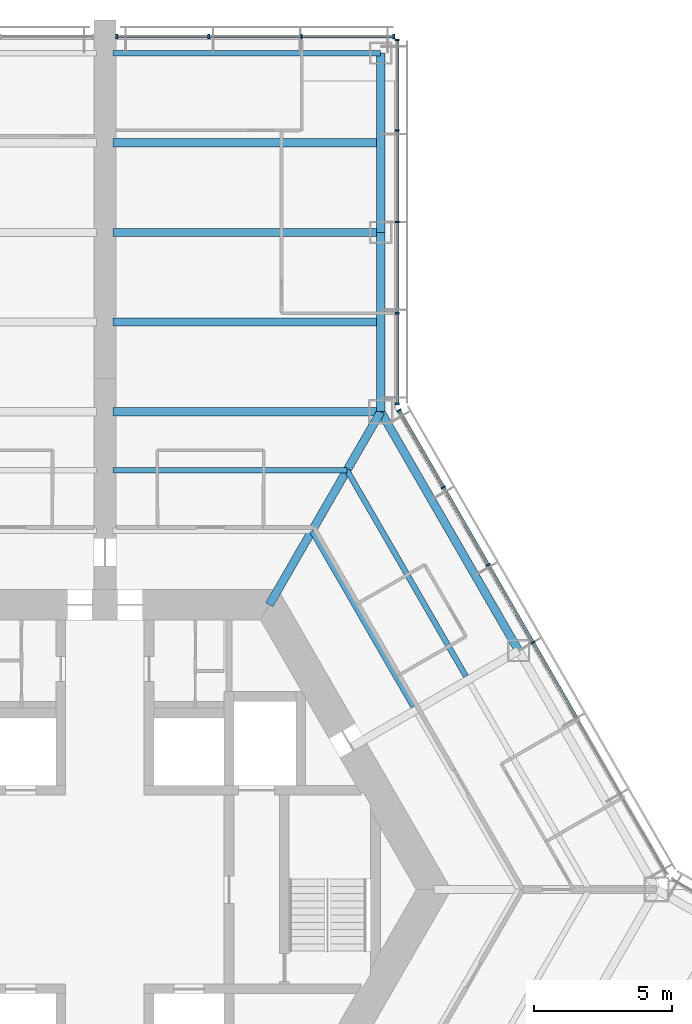
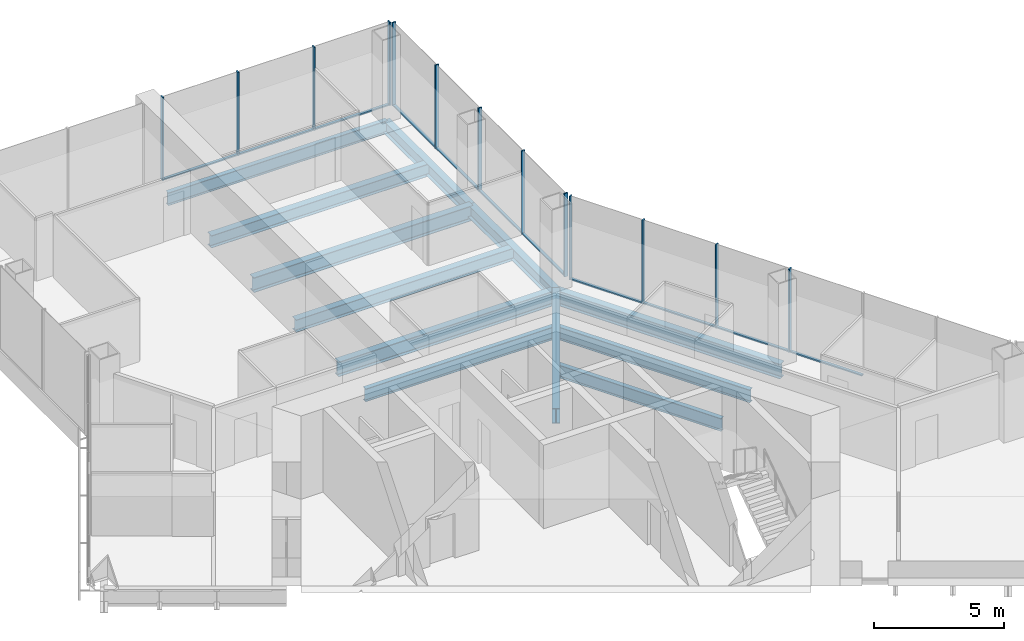
# One storey, part 8 of 18: 24 members, 12 beams, 3 elements without a shape of their own.
"""IFC4 building model written with IfcOpenShell, lengths in metres."""

from ifc_helpers import new_model, si_unit, direction, frame, origin, origin_2d, place, context, subcontext, project, spatial, rectangle, i_section, extrude, material, material_profile, profile_set, type_object, element, aggregate, save


model = new_model("IFC4")

# Units and contexts
model_context = context("Model", 3, precision=1e-05, world=origin(), true_north=direction((0.0, 1.0)))
body_context = subcontext(model_context, "Body", "Model", "MODEL_VIEW")
ifc_project = project(units=[si_unit("LENGTHUNIT", "METRE"), si_unit("AREAUNIT", "SQUARE_METRE"), si_unit("VOLUMEUNIT", "CUBIC_METRE"), si_unit("PLANEANGLEUNIT", "RADIAN"), si_unit("MASSUNIT", "GRAM", prefix="KILO")], contexts=[model_context])

# Site, building, storey
site_placement = place(None, origin())
site = spatial("IfcSite", under=ifc_project, at=site_placement, CompositionType="ELEMENT")
building_placement = place(site_placement, origin())
building = spatial("IfcBuilding", under=site, at=building_placement, Name="Kasaneha Research Tower", CompositionType="ELEMENT")
storey_placement = place(building_placement, frame((0.0, 0.0, 65.10009765625)))
storey = spatial("IfcBuildingStorey", under=building, at=storey_placement, Name="L16", CompositionType="ELEMENT", Elevation=65.10009765625)

# Beams
ifc_material_1 = material(Name="Steel SN490B", Category="steel")
ifc_material_profile_1 = material_profile(ifc_material_1, i_section(OverallWidth=0.199951171875, OverallDepth=0.60009765625, WebThickness=0.010986328125, FlangeThickness=0.01708984375, FilletRadius=0.012939453125, at=origin_2d()), Name="H-600x200x11x17")
ifc_profile_set_1 = profile_set([ifc_material_profile_1], Name="Steel SN490B")
beam_type_1 = type_object("IfcBeamType", Name="B1-3 secondary beam H-600x200x11x17", PredefinedType="JOIST", material=ifc_profile_set_1)
beam_1_placement = place(storey_placement, frame((7.505615234375, 13.0, -0.4501953125), z_axis=(0.499994443168, -0.866028611999, 0.0), x_axis=(0.866028611999, 0.499994443168, 0.0)))
element("IfcBeam", 1, at=beam_1_placement, inside=storey, type_object=beam_type_1, Name="Secondary beam RS030R1 L16", PredefinedType="JOIST", context=body_context, shape_type="SweptSolid", body=[
    extrude(i_section(OverallWidth=0.199951171875, OverallDepth=0.60009765625, WebThickness=0.010986328125, FlangeThickness=0.01708984375, FilletRadius=0.012939453125, at=origin_2d()), origin(), (0.0, 0.0, 1.0), 7.35546875),
])
beam_2_placement = place(storey_placement, frame((8.775634765625, 15.199951171875, -0.4501953125), z_axis=(0.500017275495, -0.866015429543, 0.0), x_axis=(0.866015429543, 0.500017275495, 0.0)))
element("IfcBeam", 2, at=beam_2_placement, inside=storey, type_object=beam_type_1, Name="Secondary beam RS030R2 L16", PredefinedType="JOIST", context=body_context, shape_type="SweptSolid", body=[
    extrude(i_section(OverallWidth=0.199951171875, OverallDepth=0.60009765625, WebThickness=0.010986328125, FlangeThickness=0.01708984375, FilletRadius=0.012939453125, at=origin_2d()), origin(), (0.0, 0.0, 1.0), 8.625732421875),
])
beam_3_placement = place(storey_placement, frame((8.775634765625, 15.199951171875, -0.4501953125), z_axis=(-1.0, 0.0, 0.0), x_axis=(0.0, -1.0, 0.0)))
element("IfcBeam", 3, at=beam_3_placement, inside=storey, type_object=beam_type_1, Name="Secondary beam RS090L2 L16", PredefinedType="JOIST", context=body_context, shape_type="SweptSolid", body=[
    extrude(i_section(OverallWidth=0.199951171875, OverallDepth=0.60009765625, WebThickness=0.010986328125, FlangeThickness=0.01708984375, FilletRadius=0.012939453125, at=origin_2d()), origin(), (0.0, 0.0, 1.0), 8.4755859375),
])
ifc_material_2 = material(Name="Steel SN490B", Category="steel")
ifc_material_profile_2 = material_profile(ifc_material_2, i_section(OverallWidth=0.300048828125, OverallDepth=0.58203125, WebThickness=0.011962890625, FlangeThickness=0.01708984375, FilletRadius=0.012939453125, at=origin_2d()), Name="H-582x300x12x17")
ifc_profile_set_2 = profile_set([ifc_material_profile_2], Name="Steel SN490B")
beam_type_2 = type_object("IfcBeamType", Name="B2-3 secondary beam H-582x300x12x17", PredefinedType="JOIST", material=ifc_profile_set_2)
for number, where, z_axis, x_axis, name in (
    (4, (10.0, 20.570556640625, -0.441162109375), (-1.0, 0.0, 0.0), (0.0, -1.0, 0.0), "Secondary beam WBAP1 L16"),
    (5, (10.0, 27.070556640625, -0.441162109375), (-1.0, 0.0, 0.0), (0.0, -1.0, 0.0), "Secondary beam WBAP2 L16"),
):
    element("IfcBeam", number, at=place(storey_placement, frame(where, z_axis=z_axis, x_axis=x_axis)), inside=storey, type_object=beam_type_2, Name=name, PredefinedType="JOIST", context=body_context, shape_type="SweptSolid", body=[
        extrude(i_section(OverallWidth=0.300048828125, OverallDepth=0.58203125, WebThickness=0.011962890625, FlangeThickness=0.01708984375, FilletRadius=0.012939453125, at=origin_2d()), origin(), (0.0, 0.0, 1.0), 9.699951171875),
    ])

# Curtain wall, members
ifc_material_3 = material(Name="Glass and aluminium", Category="aluminium")
curtain_wall_type = type_object("IfcCurtainWallType", Name="Low-rise office curtain wall", PredefinedType="USERDEFINED", material=ifc_material_3)
curtain_wall_1_placement = place(storey_placement, origin())
curtain_wall_1 = element("IfcCurtainWall", 6, at=curtain_wall_1_placement, inside=storey, type_object=curtain_wall_type, Name="CW-O1 L16 run 07a", ObjectType="UNITISED CURTAIN WALL", PredefinedType="USERDEFINED")
ifc_material_4 = material(Name="Aluminium 6063-T6", Category="aluminium")
ifc_material_profile_3 = material_profile(ifc_material_4, rectangle(XDim=0.06005859375, YDim=0.159912109375, at=origin_2d()), Name="CW-O1 mullion 60x160")
ifc_profile_set_3 = profile_set([ifc_material_profile_3], Name="Aluminium 6063-T6")
member_type_1 = type_object("IfcMemberType", Name="CW-O1 mullion", PredefinedType="MULLION", material=ifc_profile_set_3)
member_1_placement = place(storey_placement, frame((15.51953125, 8.960205078125, 0.0), z_axis=(0.0, 0.0, 1.0), x_axis=(-0.49999996188, 0.866025425793, 0.0)))
member_1 = element("IfcMember", 7, at=member_1_placement, type_object=member_type_1, Name="CW-O1 mullion 4", PredefinedType="MULLION", context=body_context, shape_type="SweptSolid", body=[
    extrude(rectangle(XDim=0.06005859375, YDim=0.159912109375, at=origin_2d()), origin(), (0.0, 0.0, 1.0), 3.89990234375),
])
member_2_placement = place(storey_placement, frame((13.896484375, 11.771728515625, 0.0), z_axis=(0.0, 0.0, 1.0), x_axis=(-0.49999996188, 0.866025425793, 0.0)))
member_2 = element("IfcMember", 8, at=member_2_placement, type_object=member_type_1, Name="CW-O1 mullion 5", PredefinedType="MULLION", context=body_context, shape_type="SweptSolid", body=[
    extrude(rectangle(XDim=0.06005859375, YDim=0.159912109375, at=origin_2d()), origin(), (0.0, 0.0, 1.0), 3.89990234375),
])
member_3_placement = place(storey_placement, frame((12.273193359375, 14.583251953125, 0.0), z_axis=(0.0, 0.0, 1.0), x_axis=(-0.49999996188, 0.866025425793, 0.0)))
member_3 = element("IfcMember", 9, at=member_3_placement, type_object=member_type_1, Name="CW-O1 mullion 6", PredefinedType="MULLION", context=body_context, shape_type="SweptSolid", body=[
    extrude(rectangle(XDim=0.06005859375, YDim=0.159912109375, at=origin_2d()), origin(), (0.0, 0.0, 1.0), 3.89990234375),
])
member_4_placement = place(storey_placement, frame((10.6650390625, 17.36865234375, 0.0), z_axis=(0.0, 0.0, 1.0), x_axis=(-0.49999996188, 0.866025425793, 0.0)))
member_4 = element("IfcMember", 10, at=member_4_placement, type_object=member_type_1, Name="CW-O1 mullion 7", PredefinedType="MULLION", context=body_context, shape_type="SweptSolid", body=[
    extrude(rectangle(XDim=0.06005859375, YDim=0.159912109375, at=origin_2d()), origin(), (0.0, 0.0, 1.0), 3.89990234375),
])

curtain_wall_2_placement = place(storey_placement, origin())
curtain_wall_2 = element("IfcCurtainWall", 11, at=curtain_wall_2_placement, inside=storey, type_object=curtain_wall_type, Name="CW-O1 L16 run 08a", ObjectType="UNITISED CURTAIN WALL", PredefinedType="USERDEFINED")
member_5_placement = place(storey_placement, frame((10.60009765625, 17.611328125, 0.0), z_axis=(0.0, 0.0, 1.0), x_axis=(0.0, 1.0, 0.0)))
member_5 = element("IfcMember", 12, at=member_5_placement, type_object=member_type_1, Name="CW-O1 mullion 1", PredefinedType="MULLION", context=body_context, shape_type="SweptSolid", body=[
    extrude(rectangle(XDim=0.06005859375, YDim=0.159912109375, at=origin_2d()), origin(), (0.0, 0.0, 1.0), 3.89990234375),
])
member_6_placement = place(storey_placement, frame((10.60009765625, 20.89111328125, 0.0), z_axis=(0.0, 0.0, 1.0), x_axis=(0.0, 1.0, 0.0)))
member_6 = element("IfcMember", 13, at=member_6_placement, type_object=member_type_1, Name="CW-O1 mullion 2", PredefinedType="MULLION", context=body_context, shape_type="SweptSolid", body=[
    extrude(rectangle(XDim=0.06005859375, YDim=0.159912109375, at=origin_2d()), origin(), (0.0, 0.0, 1.0), 3.89990234375),
])
member_7_placement = place(storey_placement, frame((10.60009765625, 24.200927734375, 0.0), z_axis=(0.0, 0.0, 1.0), x_axis=(0.0, 1.0, 0.0)))
member_7 = element("IfcMember", 14, at=member_7_placement, type_object=member_type_1, Name="CW-O1 mullion 3", PredefinedType="MULLION", context=body_context, shape_type="SweptSolid", body=[
    extrude(rectangle(XDim=0.06005859375, YDim=0.159912109375, at=origin_2d()), origin(), (0.0, 0.0, 1.0), 3.89990234375),
])
member_8_placement = place(storey_placement, frame((10.60009765625, 27.5107421875, 0.0), z_axis=(0.0, 0.0, 1.0), x_axis=(0.0, 1.0, 0.0)))
member_8 = element("IfcMember", 15, at=member_8_placement, type_object=member_type_1, Name="CW-O1 mullion 4", PredefinedType="MULLION", context=body_context, shape_type="SweptSolid", body=[
    extrude(rectangle(XDim=0.06005859375, YDim=0.159912109375, at=origin_2d()), origin(), (0.0, 0.0, 1.0), 3.89990234375),
])
member_9_placement = place(storey_placement, frame((10.60009765625, 30.79052734375, 0.0), z_axis=(0.0, 0.0, 1.0), x_axis=(0.0, 1.0, 0.0)))
member_9 = element("IfcMember", 16, at=member_9_placement, type_object=member_type_1, Name="CW-O1 mullion 5", PredefinedType="MULLION", context=body_context, shape_type="SweptSolid", body=[
    extrude(rectangle(XDim=0.06005859375, YDim=0.159912109375, at=origin_2d()), origin(), (0.0, 0.0, 1.0), 3.89990234375),
])

curtain_wall_3_placement = place(storey_placement, origin())
curtain_wall_3 = element("IfcCurtainWall", 17, at=curtain_wall_3_placement, inside=storey, type_object=curtain_wall_type, Name="CW-O1 L16 run 09a", ObjectType="UNITISED CURTAIN WALL", PredefinedType="USERDEFINED")
member_10_placement = place(storey_placement, frame((10.469970703125, 30.92041015625, 0.0), z_axis=(0.0, 0.0, 1.0), x_axis=(-1.0, 0.0, 0.0)))
member_10 = element("IfcMember", 18, at=member_10_placement, type_object=member_type_1, Name="CW-O1 mullion 1", PredefinedType="MULLION", context=body_context, shape_type="SweptSolid", body=[
    extrude(rectangle(XDim=0.06005859375, YDim=0.159912109375, at=origin_2d()), origin(), (0.0, 0.0, 1.0), 3.89990234375),
])
member_11_placement = place(storey_placement, frame((7.13330078125, 30.92041015625, 0.0), z_axis=(0.0, 0.0, 1.0), x_axis=(-1.0, 0.0, 0.0)))
member_11 = element("IfcMember", 19, at=member_11_placement, type_object=member_type_1, Name="CW-O1 mullion 2", PredefinedType="MULLION", context=body_context, shape_type="SweptSolid", body=[
    extrude(rectangle(XDim=0.06005859375, YDim=0.159912109375, at=origin_2d()), origin(), (0.0, 0.0, 1.0), 3.89990234375),
])
member_12_placement = place(storey_placement, frame((3.7666015625, 30.92041015625, 0.0), z_axis=(0.0, 0.0, 1.0), x_axis=(-1.0, 0.0, 0.0)))
member_12 = element("IfcMember", 20, at=member_12_placement, type_object=member_type_1, Name="CW-O1 mullion 3", PredefinedType="MULLION", context=body_context, shape_type="SweptSolid", body=[
    extrude(rectangle(XDim=0.06005859375, YDim=0.159912109375, at=origin_2d()), origin(), (0.0, 0.0, 1.0), 3.89990234375),
])
member_13_placement = place(storey_placement, frame((0.429931640625, 30.92041015625, 0.0), z_axis=(0.0, 0.0, 1.0), x_axis=(-1.0, 0.0, 0.0)))
member_13 = element("IfcMember", 21, at=member_13_placement, type_object=member_type_1, Name="CW-O1 mullion 4", PredefinedType="MULLION", context=body_context, shape_type="SweptSolid", body=[
    extrude(rectangle(XDim=0.06005859375, YDim=0.159912109375, at=origin_2d()), origin(), (0.0, 0.0, 1.0), 3.89990234375),
])

# Member
ifc_material_5 = material(Name="Aluminium 6063-T6", Category="aluminium")
ifc_material_profile_4 = material_profile(ifc_material_5, rectangle(XDim=0.1201171875, YDim=0.06005859375, at=origin_2d()), Name="CW-O1 transom 120x60")
ifc_profile_set_4 = profile_set([ifc_material_profile_4], Name="Aluminium 6063-T6")
member_type_2 = type_object("IfcMemberType", Name="CW-O1 transom", PredefinedType="USERDEFINED", material=ifc_profile_set_4)
member_14_placement = place(storey_placement, frame((17.1279296875, 6.1748046875, 0.02978515625), z_axis=(-0.500012062035, 0.866018439653, 0.0), x_axis=(-0.866018439653, -0.500012062035, 0.0)))
member_14 = element("IfcMember", 22, at=member_14_placement, type_object=member_type_2, Name="CW-O1 transom 3", ObjectType="TRANSOM", PredefinedType="USERDEFINED", context=body_context, shape_type="SweptSolid", body=[
    extrude(rectangle(XDim=0.1201171875, YDim=0.06005859375, at=origin_2d()), origin(), (0.0, 0.0, 1.0), 3.1865234375),
])

member_15_placement = place(storey_placement, frame((15.504638671875, 8.986328125, 0.02978515625), z_axis=(-0.500012062035, 0.866018439653, 0.0), x_axis=(-0.866018439653, -0.500012062035, 0.0)))
member_15 = element("IfcMember", 23, at=member_15_placement, type_object=member_type_2, Name="CW-O1 transom 4", ObjectType="TRANSOM", PredefinedType="USERDEFINED", context=body_context, shape_type="SweptSolid", body=[
    extrude(rectangle(XDim=0.1201171875, YDim=0.06005859375, at=origin_2d()), origin(), (0.0, 0.0, 1.0), 3.1865234375),
])

member_16_placement = place(storey_placement, frame((13.88134765625, 11.797607421875, 0.02978515625), z_axis=(-0.500012062035, 0.866018439653, 0.0), x_axis=(-0.866018439653, -0.500012062035, 0.0)))
member_16 = element("IfcMember", 24, at=member_16_placement, type_object=member_type_2, Name="CW-O1 transom 5", ObjectType="TRANSOM", PredefinedType="USERDEFINED", context=body_context, shape_type="SweptSolid", body=[
    extrude(rectangle(XDim=0.1201171875, YDim=0.06005859375, at=origin_2d()), origin(), (0.0, 0.0, 1.0), 3.1865234375),
])

member_17_placement = place(storey_placement, frame((12.25830078125, 14.609130859375, 0.02978515625), z_axis=(-0.500023726918, 0.866011704609, 0.0), x_axis=(-0.866011704609, -0.500023726918, 0.0)))
member_17 = element("IfcMember", 25, at=member_17_placement, type_object=member_type_2, Name="CW-O1 transom 6", ObjectType="TRANSOM", PredefinedType="USERDEFINED", context=body_context, shape_type="SweptSolid", body=[
    extrude(rectangle(XDim=0.1201171875, YDim=0.06005859375, at=origin_2d()), origin(), (0.0, 0.0, 1.0), 3.156494140625),
])

aggregate(curtain_wall_1, [member_1, member_2, member_3, member_4, member_14, member_15, member_16, member_17])

member_18_placement = place(storey_placement, frame((10.60009765625, 17.641357421875, 0.02978515625), z_axis=(0.0, 1.0, 0.0), x_axis=(-1.0, 0.0, 0.0)))
member_18 = element("IfcMember", 26, at=member_18_placement, type_object=member_type_2, Name="CW-O1 transom 1", ObjectType="TRANSOM", PredefinedType="USERDEFINED", context=body_context, shape_type="SweptSolid", body=[
    extrude(rectangle(XDim=0.1201171875, YDim=0.06005859375, at=origin_2d()), origin(), (0.0, 0.0, 1.0), 3.2197265625),
])

member_19_placement = place(storey_placement, frame((10.60009765625, 20.921142578125, 0.02978515625), z_axis=(0.0, 1.0, 0.0), x_axis=(-1.0, 0.0, 0.0)))
member_19 = element("IfcMember", 27, at=member_19_placement, type_object=member_type_2, Name="CW-O1 transom 2", ObjectType="TRANSOM", PredefinedType="USERDEFINED", context=body_context, shape_type="SweptSolid", body=[
    extrude(rectangle(XDim=0.1201171875, YDim=0.06005859375, at=origin_2d()), origin(), (0.0, 0.0, 1.0), 3.249755859375),
])

member_20_placement = place(storey_placement, frame((10.60009765625, 24.23095703125, 0.02978515625), z_axis=(0.0, 1.0, 0.0), x_axis=(-1.0, 0.0, 0.0)))
member_20 = element("IfcMember", 28, at=member_20_placement, type_object=member_type_2, Name="CW-O1 transom 3", ObjectType="TRANSOM", PredefinedType="USERDEFINED", context=body_context, shape_type="SweptSolid", body=[
    extrude(rectangle(XDim=0.1201171875, YDim=0.06005859375, at=origin_2d()), origin(), (0.0, 0.0, 1.0), 3.249755859375),
])

member_21_placement = place(storey_placement, frame((10.60009765625, 27.540771484375, 0.02978515625), z_axis=(0.0, 1.0, 0.0), x_axis=(-1.0, 0.0, 0.0)))
member_21 = element("IfcMember", 29, at=member_21_placement, type_object=member_type_2, Name="CW-O1 transom 4", ObjectType="TRANSOM", PredefinedType="USERDEFINED", context=body_context, shape_type="SweptSolid", body=[
    extrude(rectangle(XDim=0.1201171875, YDim=0.06005859375, at=origin_2d()), origin(), (0.0, 0.0, 1.0), 3.2197265625),
])

aggregate(curtain_wall_2, [member_5, member_6, member_7, member_8, member_9, member_18, member_19, member_20, member_21])

member_22_placement = place(storey_placement, frame((10.43994140625, 30.92041015625, 0.02978515625), z_axis=(-1.0, 0.0, 0.0), x_axis=(0.0, -1.0, 0.0)))
member_22 = element("IfcMember", 30, at=member_22_placement, type_object=member_type_2, Name="CW-O1 transom 1", ObjectType="TRANSOM", PredefinedType="USERDEFINED", context=body_context, shape_type="SweptSolid", body=[
    extrude(rectangle(XDim=0.1201171875, YDim=0.06005859375, at=origin_2d()), origin(), (0.0, 0.0, 1.0), 3.276611328125),
])

member_23_placement = place(storey_placement, frame((7.103271484375, 30.92041015625, 0.02978515625), z_axis=(-1.0, 0.0, 0.0), x_axis=(0.0, -1.0, 0.0)))
member_23 = element("IfcMember", 31, at=member_23_placement, type_object=member_type_2, Name="CW-O1 transom 2", ObjectType="TRANSOM", PredefinedType="USERDEFINED", context=body_context, shape_type="SweptSolid", body=[
    extrude(rectangle(XDim=0.1201171875, YDim=0.06005859375, at=origin_2d()), origin(), (0.0, 0.0, 1.0), 3.306640625),
])

member_24_placement = place(storey_placement, frame((3.736572265625, 30.92041015625, 0.02978515625), z_axis=(-1.0, 0.0, 0.0), x_axis=(0.0, -1.0, 0.0)))
member_24 = element("IfcMember", 32, at=member_24_placement, type_object=member_type_2, Name="CW-O1 transom 3", ObjectType="TRANSOM", PredefinedType="USERDEFINED", context=body_context, shape_type="SweptSolid", body=[
    extrude(rectangle(XDim=0.1201171875, YDim=0.06005859375, at=origin_2d()), origin(), (0.0, 0.0, 1.0), 3.276611328125),
])

aggregate(curtain_wall_3, [member_10, member_11, member_12, member_13, member_22, member_23, member_24])

# Beams
ifc_material_6 = material(Name="Steel SN490B", Category="steel")
ifc_material_profile_5 = material_profile(ifc_material_6, i_section(OverallWidth=0.300048828125, OverallDepth=0.699951171875, WebThickness=0.012939453125, FlangeThickness=0.02392578125, FilletRadius=0.01806640625, at=origin_2d()), Name="H-700x300x13x24")
ifc_profile_set_5 = profile_set([ifc_material_profile_5], Name="Steel SN490B")
beam_type_3 = type_object("IfcBeamType", Name="G1-3 radial girder H-700x300x13x24", PredefinedType="BEAM", material=ifc_profile_set_5)
beam_4_placement = place(storey_placement, frame((5.961181640625, 10.324951171875, -0.5), z_axis=(0.49999105496, 0.866030568144, 0.0), x_axis=(-0.866030568144, 0.49999105496, 0.0)))
element("IfcBeam", 33, at=beam_4_placement, inside=storey, type_object=beam_type_3, Name="Radial girder RV060 L16", PredefinedType="BEAM", context=body_context, shape_type="SweptSolid", body=[
    extrude(i_section(OverallWidth=0.300048828125, OverallDepth=0.699951171875, WebThickness=0.012939453125, FlangeThickness=0.02392578125, FilletRadius=0.01806640625, at=origin_2d()), origin(), (0.0, 0.0, 1.0), 8.077880859375),
])
ifc_material_7 = material(Name="Steel SN490B", Category="steel")
ifc_material_profile_6 = material_profile(ifc_material_7, i_section(OverallWidth=0.300048828125, OverallDepth=0.69189453125, WebThickness=0.012939453125, FlangeThickness=0.02001953125, FilletRadius=0.01806640625, at=origin_2d()), Name="H-692x300x13x20")
ifc_profile_set_6 = profile_set([ifc_material_profile_6], Name="Steel SN490B")
beam_type_4 = type_object("IfcBeamType", Name="G3-3 plate edge girder H-692x300x13x20", PredefinedType="BEAM", material=ifc_profile_set_6)
beam_5_placement = place(storey_placement, frame((10.0, 17.320556640625, -0.49609375), z_axis=(-1.0, 0.0, 0.0), x_axis=(0.0, -1.0, 0.0)))
element("IfcBeam", 34, at=beam_5_placement, inside=storey, type_object=beam_type_4, Name="Plate edge girder PEAP L16", PredefinedType="BEAM", context=body_context, shape_type="SweptSolid", body=[
    extrude(i_section(OverallWidth=0.300048828125, OverallDepth=0.69189453125, WebThickness=0.012939453125, FlangeThickness=0.02001953125, FilletRadius=0.01806640625, at=origin_2d()), origin(), (0.0, 0.0, 1.0), 9.699951171875),
])
ifc_material_8 = material(Name="Steel SN490B", Category="steel")
ifc_material_profile_7 = material_profile(ifc_material_8, i_section(OverallWidth=0.300048828125, OverallDepth=0.699951171875, WebThickness=0.012939453125, FlangeThickness=0.02392578125, FilletRadius=0.01806640625, at=origin_2d()), Name="H-700x300x13x24")
ifc_profile_set_7 = profile_set([ifc_material_profile_7], Name="Steel SN490B")
beam_type_5 = type_object("IfcBeamType", Name="G4-3 wing girder H-700x300x13x24", PredefinedType="BEAM", material=ifc_profile_set_7)
beam_6_placement = place(storey_placement, frame((10.0, 23.820556640625, -0.5), z_axis=(-1.0, 0.0, 0.0), x_axis=(0.0, -1.0, 0.0)))
element("IfcBeam", 35, at=beam_6_placement, inside=storey, type_object=beam_type_5, Name="Wing girder WGAP L16", PredefinedType="BEAM", context=body_context, shape_type="SweptSolid", body=[
    extrude(i_section(OverallWidth=0.300048828125, OverallDepth=0.699951171875, WebThickness=0.012939453125, FlangeThickness=0.02392578125, FilletRadius=0.01806640625, at=origin_2d()), origin(), (0.0, 0.0, 1.0), 9.699951171875),
])
ifc_material_9 = material(Name="Steel SN490B", Category="steel")
ifc_material_profile_8 = material_profile(ifc_material_9, i_section(OverallWidth=0.300048828125, OverallDepth=0.69189453125, WebThickness=0.012939453125, FlangeThickness=0.02001953125, FilletRadius=0.01806640625, at=origin_2d()), Name="H-692x300x13x20")
ifc_profile_set_8 = profile_set([ifc_material_profile_8], Name="Steel SN490B")
beam_type_6 = type_object("IfcBeamType", Name="SB1-3 spandrel beam H-692x300x13x20", PredefinedType="SPANDREL", material=ifc_profile_set_8)
beam_7_placement = place(storey_placement, frame((10.0, 17.320556640625, -0.49609375), z_axis=(0.499993662806, -0.866029062534, 0.0), x_axis=(0.866029062534, 0.499993662806, 0.0)))
element("IfcBeam", 36, at=beam_7_placement, inside=storey, type_object=beam_type_6, Name="Spandrel beam SR030R L16", PredefinedType="SPANDREL", context=body_context, shape_type="SweptSolid", body=[
    extrude(i_section(OverallWidth=0.300048828125, OverallDepth=0.69189453125, WebThickness=0.012939453125, FlangeThickness=0.02001953125, FilletRadius=0.01806640625, at=origin_2d()), origin(), (0.0, 0.0, 1.0), 10.000244140625),
])
ifc_material_10 = material(Name="Steel SN490B", Category="steel")
ifc_material_profile_9 = material_profile(ifc_material_10, i_section(OverallWidth=0.300048828125, OverallDepth=0.58203125, WebThickness=0.011962890625, FlangeThickness=0.01708984375, FilletRadius=0.012939453125, at=origin_2d()), Name="H-582x300x12x17")
ifc_profile_set_9 = profile_set([ifc_material_profile_9], Name="Steel SN490B")
beam_type_7 = type_object("IfcBeamType", Name="SB2-3 spandrel beam H-582x300x12x17", PredefinedType="SPANDREL", material=ifc_profile_set_9)
for number, where, z_axis, x_axis, name in (
    (37, (10.0, 17.320556640625, -0.441162109375), (0.0, 1.0, 0.0), (-1.0, 0.0, 0.0), "Spandrel beam WSAP1 L16"),
    (38, (10.0, 23.820556640625, -0.441162109375), (0.0, 1.0, 0.0), (-1.0, 0.0, 0.0), "Spandrel beam WSAP2 L16"),
):
    element("IfcBeam", number, at=place(storey_placement, frame(where, z_axis=z_axis, x_axis=x_axis)), inside=storey, type_object=beam_type_7, Name=name, PredefinedType="SPANDREL", context=body_context, shape_type="SweptSolid", body=[
        extrude(i_section(OverallWidth=0.300048828125, OverallDepth=0.58203125, WebThickness=0.011962890625, FlangeThickness=0.01708984375, FilletRadius=0.012939453125, at=origin_2d()), origin(), (0.0, 0.0, 1.0), 6.5),
    ])
ifc_material_11 = material(Name="Steel SN490B", Category="steel")
ifc_material_profile_10 = material_profile(ifc_material_11, i_section(OverallWidth=0.199951171875, OverallDepth=0.60009765625, WebThickness=0.010986328125, FlangeThickness=0.01708984375, FilletRadius=0.012939453125, at=origin_2d()), Name="H-600x200x11x17")
ifc_profile_set_10 = profile_set([ifc_material_profile_10], Name="Steel SN490B")
beam_type_8 = type_object("IfcBeamType", Name="SB3-3 spandrel beam H-600x200x11x17", PredefinedType="SPANDREL", material=ifc_profile_set_10)
beam_8_placement = place(storey_placement, frame((10.0, 30.320556640625, -0.4501953125), z_axis=(-1.0, 0.0, 0.0), x_axis=(0.0, -1.0, 0.0)))
element("IfcBeam", 39, at=beam_8_placement, inside=storey, type_object=beam_type_8, Name="Spandrel beam WTAP L16", PredefinedType="SPANDREL", context=body_context, shape_type="SweptSolid", body=[
    extrude(i_section(OverallWidth=0.199951171875, OverallDepth=0.60009765625, WebThickness=0.010986328125, FlangeThickness=0.01708984375, FilletRadius=0.012939453125, at=origin_2d()), origin(), (0.0, 0.0, 1.0), 9.699951171875),
])

save(model, "model.ifc")
